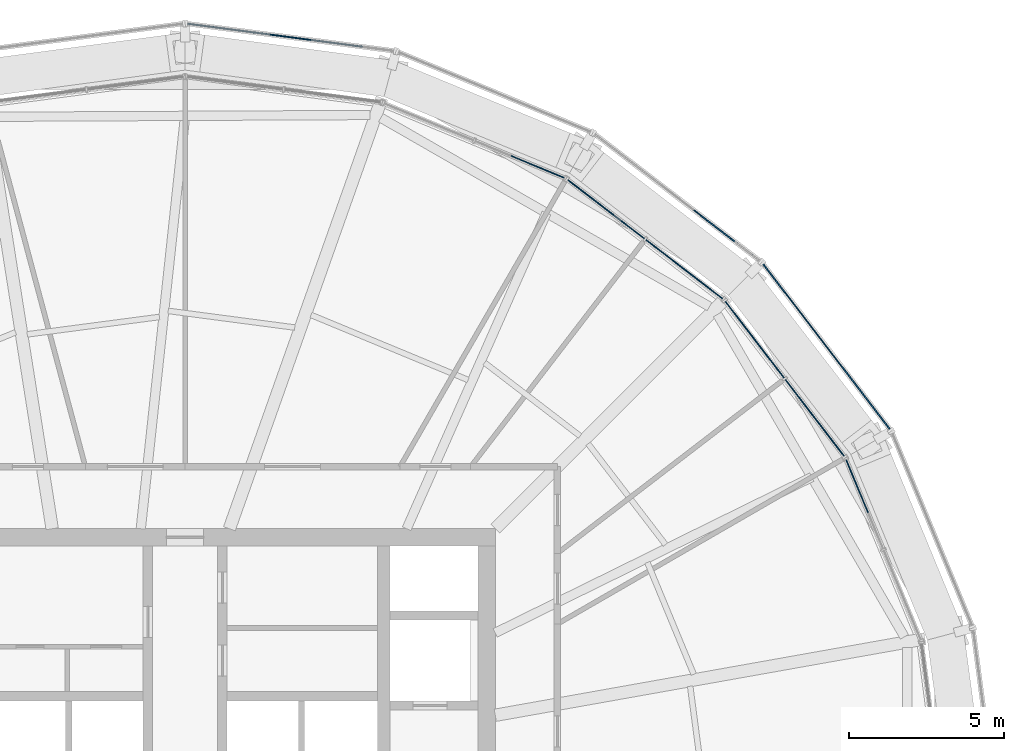
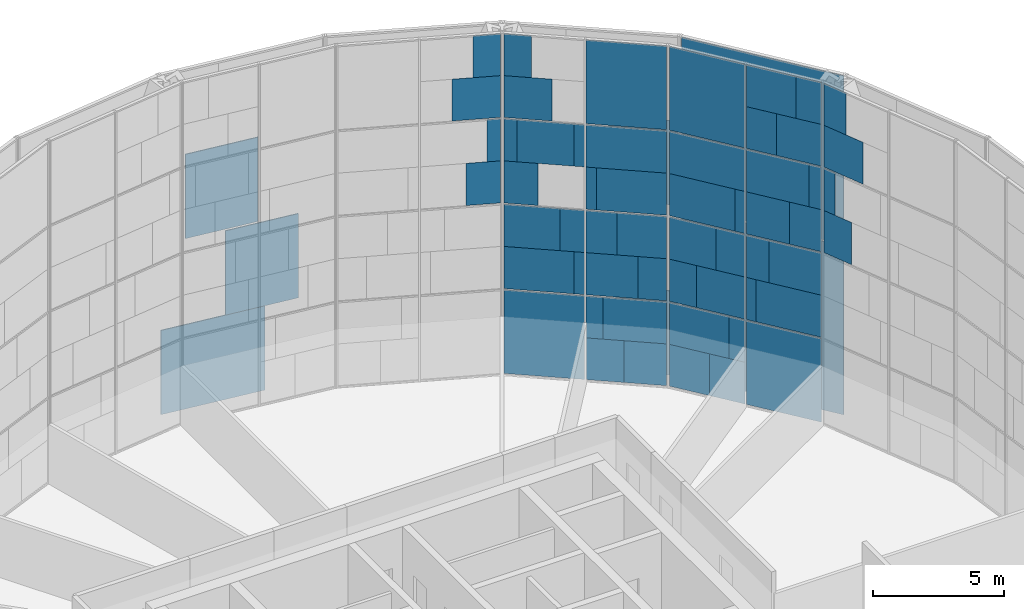
# One storey, part 24 of 30: 63 plates, 7 elements without a shape of their own.
"""IFC4 building model written with IfcOpenShell, lengths in metres."""

import ifcopenshell
import ifcopenshell.guid

model = None  # the IFC model being written
_history = None  # IfcOwnerHistory: only IFC2X3 demands one
_inside = {}  # id of a spatial element -> (the spatial element, [elements in it])
_under = {}  # id of a project, library or spatial element -> (it, [spatial elements below it])
_declared = {}  # id of a project -> (the project, [libraries it declares])
_typed = {}  # id of a type object -> (the type object, [elements of that type])
_made_of = {}  # id of a material, layer set ... -> (it, [elements and type objects made of it])


def new_model(schema):
    """Start an empty IFC model of exactly this schema.

    Asked for "IFC4X3", IfcOpenShell would pick the latest addendum, in which some entities
    have other attributes; the version numbers below select the first issue.
    IFC2X3 requires an IfcOwnerHistory on every rooted entity: one is made here for all.
    """
    global model, _history
    if schema == "IFC4X3":
        model = ifcopenshell.file(schema_version=(4, 3, 0, 0))
    else:
        model = ifcopenshell.file(schema=schema)
    _inside.clear()
    _under.clear()
    _declared.clear()
    _typed.clear()
    _made_of.clear()
    _history = None
    if model.schema == "IFC2X3":
        org = make("IfcOrganization", Name="unknown")
        user = make(
            "IfcPersonAndOrganization",
            ThePerson=make("IfcPerson", FamilyName="unknown"),
            TheOrganization=org,
        )
        app = make(
            "IfcApplication",
            ApplicationDeveloper=org,
            Version="unknown",
            ApplicationFullName="unknown",
            ApplicationIdentifier="unknown",
        )
        _history = make(
            "IfcOwnerHistory",
            OwningUser=user,
            OwningApplication=app,
            ChangeAction="ADDED",
            CreationDate=0,
        )
    return model


def make(cls, **values):
    """One entity of the class cls with the attributes given. An attribute that is None is left unset."""
    return model.create_entity(
        cls, **{name: value for name, value in values.items() if value is not None}
    )


def rooted(cls, **values):
    """An entity with a GlobalId (a new one), such as an element, a storey or a relation."""
    return make(cls, GlobalId=ifcopenshell.guid.new(), OwnerHistory=_history, **values)


def si_unit(unit_type, name, prefix=None):
    """IfcSIUnit, for example si_unit("LENGTHUNIT", "METRE", prefix="MILLI")."""
    return make("IfcSIUnit", UnitType=unit_type, Prefix=prefix, Name=name)


def assignment(units):
    """IfcUnitAssignment: the units of a project."""
    return None if units is None else make("IfcUnitAssignment", Units=units)


def point(xyz):
    """IfcCartesianPoint."""
    return None if xyz is None else make("IfcCartesianPoint", Coordinates=xyz)


def direction(xyz):
    """IfcDirection."""
    return None if xyz is None else make("IfcDirection", DirectionRatios=xyz)


def frame(location, z_axis=None, x_axis=None):
    """IfcAxis2Placement3D, a coordinate frame: its origin and axes. An axis left out is left unset."""
    return make(
        "IfcAxis2Placement3D",
        Location=point(location),
        Axis=direction(z_axis),
        RefDirection=direction(x_axis),
    )


def frame_2d(location, x_axis=None):
    """IfcAxis2Placement2D, a coordinate frame in the plane: its origin and x axis."""
    return make(
        "IfcAxis2Placement2D", Location=point(location), RefDirection=direction(x_axis)
    )


def origin():
    """The frame at (0, 0, 0) with its axes left unset."""
    return frame((0.0, 0.0, 0.0))


def origin_2d():
    """The frame at (0, 0) in the plane with its x axis left unset."""
    return frame_2d((0.0, 0.0))


def place(relative_to, where):
    """IfcLocalPlacement: puts the frame where relative to a parent placement (None: the world)."""
    return make(
        "IfcLocalPlacement", PlacementRelTo=relative_to, RelativePlacement=where
    )


def context(
    kind, dimensions, precision=None, world=None, true_north=None, identifier=None
):
    """IfcGeometricRepresentationContext, for example the 3D "Model" context."""
    return make(
        "IfcGeometricRepresentationContext",
        ContextIdentifier=identifier,
        ContextType=kind,
        CoordinateSpaceDimension=dimensions,
        Precision=precision,
        WorldCoordinateSystem=world,
        TrueNorth=true_north,
    )


def subcontext(parent, identifier, kind, view, scale=None):
    """IfcGeometricRepresentationSubContext, for example "Body" below "Model"."""
    return make(
        "IfcGeometricRepresentationSubContext",
        ContextIdentifier=identifier,
        ContextType=kind,
        ParentContext=parent,
        TargetScale=scale,
        TargetView=view,
    )


def project(units=None, contexts=None):
    """IfcProject with its units and contexts."""
    return rooted(
        "IfcProject",
        Name="project",
        RepresentationContexts=contexts,
        UnitsInContext=assignment(units),
    )


def spatial(cls, under=None, at=None, **own):
    """A site, building, storey or space (cls), placed at a placement, below another one or the project."""
    s = rooted(cls, ObjectPlacement=at, **own)
    if under is not None:
        _under.setdefault(under.id(), (under, []))[1].append(s)
    return s


def profile(cls, at=None, kind="AREA", **sizes):
    """A parametric profile (cls). Its sizes go by their IFC names, for example OverallWidth=200.0."""
    return make(cls, ProfileType=kind, Position=at, **sizes)


def rectangle(**sizes):
    """IfcRectangleProfileDef."""
    return profile("IfcRectangleProfileDef", **sizes)


def extrude(swept, where, along, depth):
    """IfcExtrudedAreaSolid: the profile swept, set in the frame where, extruded along a direction by depth."""
    return make(
        "IfcExtrudedAreaSolid",
        SweptArea=swept,
        Position=where,
        ExtrudedDirection=direction(along),
        Depth=depth,
    )


def shape(context_of_items, identifier, shape_type, items):
    """IfcShapeRepresentation: the items that make up one representation, for example the "Body"."""
    return make(
        "IfcShapeRepresentation",
        ContextOfItems=context_of_items,
        RepresentationIdentifier=identifier,
        RepresentationType=shape_type,
        Items=items,
    )


def material(Name=None, Category=None):
    """IfcMaterial."""
    return make("IfcMaterial", Name=Name, Category=Category)


def layer(
    of_material, thickness, ventilated=None, Name=None, Category=None, Priority=None
):
    """IfcMaterialLayer: one layer of a wall or slab, of a material (None: an air gap)."""
    return make(
        "IfcMaterialLayer",
        Material=of_material,
        LayerThickness=thickness,
        IsVentilated=ventilated,
        Name=Name,
        Category=Category,
        Priority=Priority,
    )


def layer_set(layers, Name=None):
    """IfcMaterialLayerSet."""
    return make("IfcMaterialLayerSet", MaterialLayers=layers, LayerSetName=Name)


def made_of(thing, what):
    """Note that an element or type object is made of a material, layer set ...; save() writes the relation."""
    if what is not None:
        _made_of.setdefault(what.id(), (what, []))[1].append(thing)
    return thing


def type_object(cls, material=None, **own):
    """A type object (cls), such as IfcWallType, which elements share."""
    return made_of(rooted(cls, **own), material)


def element(
    cls,
    number,
    at=None,
    inside=None,
    cuts=None,
    type_object=None,
    material=None,
    context=None,
    identifier="Body",
    shape_type=None,
    held_by="IfcProductDefinitionShape",
    body=None,
    shapes=None,
    **own,
):
    """One element of the class cls, such as IfcWall. Its Tag is "e" and its number.

    at: its placement. inside: the storey or other place that contains it. cuts: it is an
    opening in that element (IfcRelVoidsElement). A single representation is given by context,
    identifier, shape_type and body (its items); several are given by shapes. held_by: the class
    of the entity that holds the representations. save() writes the other relations.
    """
    e = rooted(cls, Tag="e%d" % number, ObjectPlacement=at, **own)
    if body is not None:
        shapes = [shape(context, identifier, shape_type, body)]
    if shapes is not None:
        e.Representation = make(held_by, Representations=shapes)
    if inside is not None:
        _inside.setdefault(inside.id(), (inside, []))[1].append(e)
    if cuts is not None:
        rooted(
            "IfcRelVoidsElement", RelatingBuildingElement=cuts, RelatedOpeningElement=e
        )
    if type_object is not None:
        _typed.setdefault(type_object.id(), (type_object, []))[1].append(e)
    return made_of(e, material)


def aggregate(whole, parts):
    """IfcRelAggregates: a whole, such as a stair, and the parts it consists of."""
    return rooted("IfcRelAggregates", RelatingObject=whole, RelatedObjects=parts)


def save(model, path):
    """Write the relations noted so far, then the file.

    IfcRelAggregates (storeys below a building ...), IfcRelContainedInSpatialStructure (elements
    in a storey), IfcRelDefinesByType, IfcRelAssociatesMaterial and IfcRelDeclares: one each for
    every whole, place, type object, material and project.
    """
    for whole, parts in _under.values():
        aggregate(whole, parts)
    for where, things in _inside.values():
        rooted(
            "IfcRelContainedInSpatialStructure",
            RelatedElements=things,
            RelatingStructure=where,
        )
    for kind, things in _typed.values():
        rooted("IfcRelDefinesByType", RelatedObjects=things, RelatingType=kind)
    for what, things in _made_of.values():
        rooted("IfcRelAssociatesMaterial", RelatedObjects=things, RelatingMaterial=what)
    for by, libraries in _declared.values():
        rooted("IfcRelDeclares", RelatingContext=by, RelatedDefinitions=libraries)
    model.write(path)


model = new_model("IFC4")

# Units and contexts
model_context = context("Model", 3, precision=1e-05, world=origin(), true_north=direction((0.0, 1.0)))
body_context = subcontext(model_context, "Body", "Model", "MODEL_VIEW")
ifc_project = project(units=[si_unit("LENGTHUNIT", "METRE"), si_unit("AREAUNIT", "SQUARE_METRE"), si_unit("VOLUMEUNIT", "CUBIC_METRE"), si_unit("PLANEANGLEUNIT", "RADIAN"), si_unit("MASSUNIT", "GRAM", prefix="KILO")], contexts=[model_context])

# Site, building, storey
site_placement = place(None, origin())
site = spatial("IfcSite", under=ifc_project, at=site_placement, CompositionType="ELEMENT")
building_placement = place(site_placement, origin())
building = spatial("IfcBuilding", under=site, at=building_placement, Name="Golbaran Civic Tower", CompositionType="ELEMENT")
storey_placement = place(building_placement, frame((0.0, 0.0, 102.0)))
storey = spatial("IfcBuildingStorey", under=building, at=storey_placement, Name="L24", CompositionType="ELEMENT", Elevation=102.0)

# Curtain wall, plates
ifc_material_1 = material(Name="Aluminium and glass", Category="aluminium")
curtain_wall_type_1 = type_object("IfcCurtainWallType", Name="INNER SKIN CURTAIN WALL", PredefinedType="NOTDEFINED", material=ifc_material_1)
curtain_wall_1_placement = place(storey_placement, origin())
curtain_wall_1 = element("IfcCurtainWall", 1, at=curtain_wall_1_placement, inside=storey, type_object=curtain_wall_type_1, Name="Inner skin L24 facet 2 CW1", ObjectType="INNER SKIN", PredefinedType="USERDEFINED")
ifc_material_2 = material(Name="Clear insulating glass", Category="glass")
ifc_layer_1 = layer(ifc_material_2, 0.031982421875, Name="Clear insulating glass")
ifc_layer_set_1 = layer_set([ifc_layer_1], Name="Clear insulating glass")
plate_type_1 = type_object("IfcPlateType", Name="INNER SKIN CURTAIN WALL GLAZED PANEL", PredefinedType="CURTAIN_PANEL", material=ifc_layer_set_1)
plate_1_placement = place(storey_placement, frame((21.564208984375, 11.615234375, 8.03271484375), z_axis=(0.0, 0.0, 1.0), x_axis=(-0.382683432478, 0.923879532465, 0.0)))
plate_1 = element("IfcPlate", 2, at=plate_1_placement, type_object=plate_type_1, Name="CW1 panel 2.3 part 2", PredefinedType="CURTAIN_PANEL", context=body_context, shape_type="SweptSolid", body=[
    extrude(rectangle(XDim=1.32861328125, YDim=0.031982421875, at=origin_2d()), origin(), (0.0, 0.0, 1.0), 1.967529296875),
])
plate_2_placement = place(storey_placement, frame((21.408203125, 11.99169921875, 10.0), z_axis=(0.0, 0.0, 1.0), x_axis=(-0.382683432478, 0.923879532465, 0.0)))
plate_2 = element("IfcPlate", 3, at=plate_2_placement, type_object=plate_type_1, Name="CW1 panel 2.3 part 5", PredefinedType="CURTAIN_PANEL", context=body_context, shape_type="SweptSolid", body=[
    extrude(rectangle(XDim=0.513671875, YDim=0.031982421875, at=origin_2d()), origin(), (0.0, 0.0, 1.0), 1.967529296875),
])

curtain_wall_2_placement = place(storey_placement, origin())
curtain_wall_2 = element("IfcCurtainWall", 4, at=curtain_wall_2_placement, inside=storey, type_object=curtain_wall_type_1, Name="Inner skin L24 facet 3 CW1", ObjectType="INNER SKIN", PredefinedType="USERDEFINED")
plate_3_placement = place(storey_placement, frame((20.298828125, 13.574462890625, 0.06494140625), z_axis=(0.0, 0.0, 1.0), x_axis=(-0.608761428995, 0.793353340302, 0.0)))
plate_3 = element("IfcPlate", 5, at=plate_3_placement, type_object=plate_type_1, Name="CW1 panel 1.1", PredefinedType="CURTAIN_PANEL", context=body_context, shape_type="SweptSolid", body=[
    extrude(rectangle(XDim=3.110595703125, YDim=0.031982421875, at=origin_2d()), origin(), (0.0, 0.0, 1.0), 3.902587890625),
])
plate_4_placement = place(storey_placement, frame((20.421142578125, 13.415283203125, 4.03271484375), z_axis=(0.0, 0.0, 1.0), x_axis=(-0.608761428995, 0.793353340302, 0.0)))
plate_4 = element("IfcPlate", 6, at=plate_4_placement, type_object=plate_type_1, Name="CW1 panel 1.2 part 1", PredefinedType="CURTAIN_PANEL", context=body_context, shape_type="SweptSolid", body=[
    extrude(rectangle(XDim=2.708984375, YDim=0.031982421875, at=origin_2d()), origin(), (0.0, 0.0, 1.0), 1.967529296875),
])
plate_5_placement = place(storey_placement, frame((20.584716796875, 13.20166015625, 6.0), z_axis=(0.0, 0.0, 1.0), x_axis=(-0.608761428995, 0.793353340302, 0.0)))
plate_5 = element("IfcPlate", 7, at=plate_5_placement, type_object=plate_type_1, Name="CW1 panel 1.2 part 3", PredefinedType="CURTAIN_PANEL", context=body_context, shape_type="SweptSolid", body=[
    extrude(rectangle(XDim=2.1708984375, YDim=0.031982421875, at=origin_2d()), origin(), (0.0, 0.0, 1.0), 1.967529296875),
])
plate_6_placement = place(storey_placement, frame((20.841064453125, 12.86767578125, 8.03271484375), z_axis=(0.0, 0.0, 1.0), x_axis=(-0.608761428995, 0.793353340302, 0.0)))
plate_6 = element("IfcPlate", 8, at=plate_6_placement, type_object=plate_type_1, Name="CW1 panel 1.3 part 1", PredefinedType="CURTAIN_PANEL", context=body_context, shape_type="SweptSolid", body=[
    extrude(rectangle(XDim=1.3291015625, YDim=0.031982421875, at=origin_2d()), origin(), (0.0, 0.0, 1.0), 1.967529296875),
])
plate_7_placement = place(storey_placement, frame((21.089111328125, 12.54443359375, 10.0), z_axis=(0.0, 0.0, 1.0), x_axis=(-0.608761428995, 0.793353340302, 0.0)))
plate_7 = element("IfcPlate", 9, at=plate_7_placement, type_object=plate_type_1, Name="CW1 panel 1.3 part 3", PredefinedType="CURTAIN_PANEL", context=body_context, shape_type="SweptSolid", body=[
    extrude(rectangle(XDim=0.513916015625, YDim=0.031982421875, at=origin_2d()), origin(), (0.0, 0.0, 1.0), 1.967529296875),
])
plate_8_placement = place(storey_placement, frame((19.72998046875, 14.31591796875, 12.032470703125), z_axis=(0.0, 0.0, 1.0), x_axis=(-0.608761428995, 0.793353340302, 0.0)))
plate_8 = element("IfcPlate", 10, at=plate_8_placement, type_object=plate_type_1, Name="CW1 panel 1.4 part 2", PredefinedType="CURTAIN_PANEL", context=body_context, shape_type="SweptSolid", body=[
    extrude(rectangle(XDim=1.241455078125, YDim=0.031982421875, at=origin_2d()), origin(), (0.0, 0.0, 1.0), 1.951171875),
])
plate_9_placement = place(storey_placement, frame((19.975830078125, 13.995361328125, 13.98388671875), z_axis=(0.0, 0.0, 1.0), x_axis=(-0.608761428995, 0.793353340302, 0.0)))
plate_9 = element("IfcPlate", 11, at=plate_9_placement, type_object=plate_type_1, Name="CW1 panel 1.4 part 4", PredefinedType="CURTAIN_PANEL", context=body_context, shape_type="SweptSolid", body=[
    extrude(rectangle(XDim=2.049560546875, YDim=0.031982421875, at=origin_2d()), origin(), (0.0, 0.0, 1.0), 1.951171875),
])
plate_10_placement = place(storey_placement, frame((18.867919921875, 15.43896484375, 0.06494140625), z_axis=(0.0, 0.0, 1.0), x_axis=(-0.608761428995, 0.793353340302, 0.0)))
plate_10 = element("IfcPlate", 12, at=plate_10_placement, type_object=plate_type_1, Name="CW1 panel 2.1 part 1", PredefinedType="CURTAIN_PANEL", context=body_context, shape_type="SweptSolid", body=[
    extrude(rectangle(XDim=1.4599609375, YDim=0.031982421875, at=origin_2d()), origin(), (0.0, 0.0, 1.0), 1.951171875),
])
plate_11_placement = place(storey_placement, frame((19.114013671875, 15.11865234375, 2.016357421875), z_axis=(0.0, 0.0, 1.0), x_axis=(-0.608761428995, 0.793353340302, 0.0)))
plate_11 = element("IfcPlate", 13, at=plate_11_placement, type_object=plate_type_1, Name="CW1 panel 2.1 part 3", PredefinedType="CURTAIN_PANEL", context=body_context, shape_type="SweptSolid", body=[
    extrude(rectangle(XDim=0.652099609375, YDim=0.031982421875, at=origin_2d()), origin(), (0.0, 0.0, 1.0), 1.951171875),
])
plate_12_placement = place(storey_placement, frame((17.754638671875, 16.889892578125, 4.03271484375), z_axis=(0.0, 0.0, 1.0), x_axis=(-0.608761428995, 0.793353340302, 0.0)))
plate_12 = element("IfcPlate", 14, at=plate_12_placement, type_object=plate_type_1, Name="CW1 panel 2.2 part 2", PredefinedType="CURTAIN_PANEL", context=body_context, shape_type="SweptSolid", body=[
    extrude(rectangle(XDim=1.103515625, YDim=0.031982421875, at=origin_2d()), origin(), (0.0, 0.0, 1.0), 1.967529296875),
])
plate_13_placement = place(storey_placement, frame((18.0029296875, 16.566650390625, 6.0), z_axis=(0.0, 0.0, 1.0), x_axis=(-0.608761428995, 0.793353340302, 0.0)))
plate_13 = element("IfcPlate", 15, at=plate_13_placement, type_object=plate_type_1, Name="CW1 panel 2.2 part 4", PredefinedType="CURTAIN_PANEL", context=body_context, shape_type="SweptSolid", body=[
    extrude(rectangle(XDim=1.91845703125, YDim=0.031982421875, at=origin_2d()), origin(), (0.0, 0.0, 1.0), 1.967529296875),
])
plate_14_placement = place(storey_placement, frame((18.243896484375, 16.25244140625, 8.03271484375), z_axis=(0.0, 0.0, 1.0), x_axis=(-0.608761428995, 0.793353340302, 0.0)))
plate_14 = element("IfcPlate", 16, at=plate_14_placement, type_object=plate_type_1, Name="CW1 panel 2.3 part 2", PredefinedType="CURTAIN_PANEL", context=body_context, shape_type="SweptSolid", body=[
    extrude(rectangle(XDim=2.710693359375, YDim=0.031982421875, at=origin_2d()), origin(), (0.0, 0.0, 1.0), 1.967529296875),
])
plate_15_placement = place(storey_placement, frame((18.36572265625, 16.09375, 10.0), z_axis=(0.0, 0.0, 1.0), x_axis=(-0.608761428995, 0.793353340302, 0.0)))
plate_15 = element("IfcPlate", 17, at=plate_15_placement, type_object=plate_type_1, Name="CW1 panel 2.3 part 3", PredefinedType="CURTAIN_PANEL", context=body_context, shape_type="SweptSolid", body=[
    extrude(rectangle(XDim=3.110595703125, YDim=0.031982421875, at=origin_2d()), origin(), (0.0, 0.0, 1.0), 1.967529296875),
])
plate_16_placement = place(storey_placement, frame((18.36572265625, 16.09375, 12.0322265625), z_axis=(0.0, 0.0, 1.0), x_axis=(-0.608761428995, 0.793353340302, 0.0)))
plate_16 = element("IfcPlate", 18, at=plate_16_placement, type_object=plate_type_1, Name="CW1 panel 2.4", PredefinedType="CURTAIN_PANEL", context=body_context, shape_type="SweptSolid", body=[
    extrude(rectangle(XDim=3.110595703125, YDim=0.031982421875, at=origin_2d()), origin(), (0.0, 0.0, 1.0), 3.902587890625),
])

curtain_wall_3_placement = place(storey_placement, origin())
curtain_wall_3 = element("IfcCurtainWall", 19, at=curtain_wall_3_placement, inside=storey, type_object=curtain_wall_type_1, Name="Inner skin L24 facet 4 CW1", ObjectType="INNER SKIN", PredefinedType="USERDEFINED")
plate_17_placement = place(storey_placement, frame((15.439208984375, 18.867919921875, 0.06494140625), z_axis=(0.0, 0.0, 1.0), x_axis=(-0.793353340302, 0.608761428995, 0.0)))
plate_17 = element("IfcPlate", 20, at=plate_17_placement, type_object=plate_type_1, Name="CW1 panel 1.1 part 2", PredefinedType="CURTAIN_PANEL", context=body_context, shape_type="SweptSolid", body=[
    extrude(rectangle(XDim=1.460693359375, YDim=0.031982421875, at=origin_2d()), origin(), (0.0, 0.0, 1.0), 1.951171875),
])
plate_18_placement = place(storey_placement, frame((15.118408203125, 19.114013671875, 2.016357421875), z_axis=(0.0, 0.0, 1.0), x_axis=(-0.793353340302, 0.608761428995, 0.0)))
plate_18 = element("IfcPlate", 21, at=plate_18_placement, type_object=plate_type_1, Name="CW1 panel 1.1 part 4", PredefinedType="CURTAIN_PANEL", context=body_context, shape_type="SweptSolid", body=[
    extrude(rectangle(XDim=0.651611328125, YDim=0.031982421875, at=origin_2d()), origin(), (0.0, 0.0, 1.0), 1.951171875),
])
plate_19_placement = place(storey_placement, frame((16.889892578125, 17.7548828125, 4.03271484375), z_axis=(0.0, 0.0, 1.0), x_axis=(-0.793353340302, 0.608761428995, 0.0)))
plate_19 = element("IfcPlate", 22, at=plate_19_placement, type_object=plate_type_1, Name="CW1 panel 1.2 part 1", PredefinedType="CURTAIN_PANEL", context=body_context, shape_type="SweptSolid", body=[
    extrude(rectangle(XDim=1.10400390625, YDim=0.031982421875, at=origin_2d()), origin(), (0.0, 0.0, 1.0), 1.967529296875),
])
plate_20_placement = place(storey_placement, frame((16.56640625, 18.0029296875, 6.0), z_axis=(0.0, 0.0, 1.0), x_axis=(-0.793353340302, 0.608761428995, 0.0)))
plate_20 = element("IfcPlate", 23, at=plate_20_placement, type_object=plate_type_1, Name="CW1 panel 1.2 part 3", PredefinedType="CURTAIN_PANEL", context=body_context, shape_type="SweptSolid", body=[
    extrude(rectangle(XDim=1.9189453125, YDim=0.031982421875, at=origin_2d()), origin(), (0.0, 0.0, 1.0), 1.967529296875),
])
plate_21_placement = place(storey_placement, frame((16.253173828125, 18.243408203125, 8.03271484375), z_axis=(0.0, 0.0, 1.0), x_axis=(-0.793353340302, 0.608761428995, 0.0)))
plate_21 = element("IfcPlate", 24, at=plate_21_placement, type_object=plate_type_1, Name="CW1 panel 1.3 part 1", PredefinedType="CURTAIN_PANEL", context=body_context, shape_type="SweptSolid", body=[
    extrude(rectangle(XDim=2.708984375, YDim=0.031982421875, at=origin_2d()), origin(), (0.0, 0.0, 1.0), 1.967529296875),
])
plate_22_placement = place(storey_placement, frame((16.09375, 18.36572265625, 10.0), z_axis=(0.0, 0.0, 1.0), x_axis=(-0.793353340302, 0.608761428995, 0.0)))
plate_22 = element("IfcPlate", 25, at=plate_22_placement, type_object=plate_type_1, Name="CW1 panel 1.3 part 3", PredefinedType="CURTAIN_PANEL", context=body_context, shape_type="SweptSolid", body=[
    extrude(rectangle(XDim=3.110595703125, YDim=0.031982421875, at=origin_2d()), origin(), (0.0, 0.0, 1.0), 1.967529296875),
])
plate_23_placement = place(storey_placement, frame((16.09375, 18.36572265625, 12.0322265625), z_axis=(0.0, 0.0, 1.0), x_axis=(-0.793353340302, 0.608761428995, 0.0)))
plate_23 = element("IfcPlate", 26, at=plate_23_placement, type_object=plate_type_1, Name="CW1 panel 1.4", PredefinedType="CURTAIN_PANEL", context=body_context, shape_type="SweptSolid", body=[
    extrude(rectangle(XDim=3.110595703125, YDim=0.031982421875, at=origin_2d()), origin(), (0.0, 0.0, 1.0), 3.902587890625),
])
plate_24_placement = place(storey_placement, frame((13.574462890625, 20.298828125, 0.06494140625), z_axis=(0.0, 0.0, 1.0), x_axis=(-0.793353340302, 0.608761428995, 0.0)))
plate_24 = element("IfcPlate", 27, at=plate_24_placement, type_object=plate_type_1, Name="CW1 panel 2.1", PredefinedType="CURTAIN_PANEL", context=body_context, shape_type="SweptSolid", body=[
    extrude(rectangle(XDim=3.110595703125, YDim=0.031982421875, at=origin_2d()), origin(), (0.0, 0.0, 1.0), 3.902587890625),
])
plate_25_placement = place(storey_placement, frame((13.415283203125, 20.4208984375, 4.03271484375), z_axis=(0.0, 0.0, 1.0), x_axis=(-0.793353340302, 0.608761428995, 0.0)))
plate_25 = element("IfcPlate", 28, at=plate_25_placement, type_object=plate_type_1, Name="CW1 panel 2.2 part 2", PredefinedType="CURTAIN_PANEL", context=body_context, shape_type="SweptSolid", body=[
    extrude(rectangle(XDim=2.70947265625, YDim=0.031982421875, at=origin_2d()), origin(), (0.0, 0.0, 1.0), 1.967529296875),
])
plate_26_placement = place(storey_placement, frame((13.20166015625, 20.5849609375, 6.0), z_axis=(0.0, 0.0, 1.0), x_axis=(-0.793353340302, 0.608761428995, 0.0)))
plate_26 = element("IfcPlate", 29, at=plate_26_placement, type_object=plate_type_1, Name="CW1 panel 2.2 part 4", PredefinedType="CURTAIN_PANEL", context=body_context, shape_type="SweptSolid", body=[
    extrude(rectangle(XDim=2.170654296875, YDim=0.031982421875, at=origin_2d()), origin(), (0.0, 0.0, 1.0), 1.967529296875),
])
plate_27_placement = place(storey_placement, frame((12.86767578125, 20.84130859375, 8.03271484375), z_axis=(0.0, 0.0, 1.0), x_axis=(-0.793353340302, 0.608761428995, 0.0)))
plate_27 = element("IfcPlate", 30, at=plate_27_placement, type_object=plate_type_1, Name="CW1 panel 2.3 part 2", PredefinedType="CURTAIN_PANEL", context=body_context, shape_type="SweptSolid", body=[
    extrude(rectangle(XDim=1.32861328125, YDim=0.031982421875, at=origin_2d()), origin(), (0.0, 0.0, 1.0), 1.967529296875),
])
plate_28_placement = place(storey_placement, frame((14.649658203125, 19.473876953125, 10.0), z_axis=(0.0, 0.0, 1.0), x_axis=(-0.793353340302, 0.608761428995, 0.0)))
plate_28 = element("IfcPlate", 31, at=plate_28_placement, type_object=plate_type_1, Name="CW1 panel 2.3 part 3", PredefinedType="CURTAIN_PANEL", context=body_context, shape_type="SweptSolid", body=[
    extrude(rectangle(XDim=0.39990234375, YDim=0.031982421875, at=origin_2d()), origin(), (0.0, 0.0, 1.0), 1.967529296875),
])
plate_29_placement = place(storey_placement, frame((12.544189453125, 21.08935546875, 10.0), z_axis=(0.0, 0.0, 1.0), x_axis=(-0.793353340302, 0.608761428995, 0.0)))
plate_29 = element("IfcPlate", 32, at=plate_29_placement, type_object=plate_type_1, Name="CW1 panel 2.3 part 5", PredefinedType="CURTAIN_PANEL", context=body_context, shape_type="SweptSolid", body=[
    extrude(rectangle(XDim=0.513671875, YDim=0.031982421875, at=origin_2d()), origin(), (0.0, 0.0, 1.0), 1.967529296875),
])

curtain_wall_4_placement = place(storey_placement, origin())
curtain_wall_4 = element("IfcCurtainWall", 33, at=curtain_wall_4_placement, inside=storey, type_object=curtain_wall_type_1, Name="Inner skin L24 facet 5 CW1", ObjectType="INNER SKIN", PredefinedType="USERDEFINED")
plate_30_placement = place(storey_placement, frame((11.614990234375, 21.564453125, 8.03271484375), z_axis=(0.0, 0.0, 1.0), x_axis=(-0.923879532465, 0.382683432478, 0.0)))
plate_30 = element("IfcPlate", 34, at=plate_30_placement, type_object=plate_type_1, Name="CW1 panel 1.3 part 1", PredefinedType="CURTAIN_PANEL", context=body_context, shape_type="SweptSolid", body=[
    extrude(rectangle(XDim=1.3291015625, YDim=0.031982421875, at=origin_2d()), origin(), (0.0, 0.0, 1.0), 1.967529296875),
])
plate_31_placement = place(storey_placement, frame((11.991455078125, 21.408447265625, 10.0), z_axis=(0.0, 0.0, 1.0), x_axis=(-0.923879532465, 0.382683432478, 0.0)))
plate_31 = element("IfcPlate", 35, at=plate_31_placement, type_object=plate_type_1, Name="CW1 panel 1.3 part 3", PredefinedType="CURTAIN_PANEL", context=body_context, shape_type="SweptSolid", body=[
    extrude(rectangle(XDim=0.513916015625, YDim=0.031982421875, at=origin_2d()), origin(), (0.0, 0.0, 1.0), 1.967529296875),
])

# Plate
ifc_material_3 = material(Name="Aluminium faced opaque infill panel", Category="aluminium")
ifc_layer_2 = layer(ifc_material_3, 0.031982421875, Name="Aluminium faced opaque infill panel")
ifc_layer_set_2 = layer_set([ifc_layer_2], Name="Aluminium faced opaque infill panel")
plate_type_2 = type_object("IfcPlateType", Name="INNER SKIN CURTAIN WALL OPAQUE INFILL PANEL", PredefinedType="CURTAIN_PANEL", material=ifc_layer_set_2)
plate_32_placement = place(storey_placement, frame((21.66748046875, 11.36572265625, 12.032470703125), z_axis=(0.0, 0.0, 1.0), x_axis=(-0.382683432478, 0.923879532465, 0.0)))
plate_32 = element("IfcPlate", 36, at=plate_32_placement, type_object=plate_type_2, Name="CW1 infill panel 2.4 part 2", PredefinedType="CURTAIN_PANEL", context=body_context, shape_type="SweptSolid", body=[
    extrude(rectangle(XDim=1.86865234375, YDim=0.031982421875, at=origin_2d()), origin(), (0.0, 0.0, 1.0), 1.951171875),
])

plate_33_placement = place(storey_placement, frame((21.512939453125, 11.739013671875, 13.98388671875), z_axis=(0.0, 0.0, 1.0), x_axis=(-0.382683432478, 0.923879532465, 0.0)))
plate_33 = element("IfcPlate", 37, at=plate_33_placement, type_object=plate_type_2, Name="CW1 infill panel 2.4 part 4", PredefinedType="CURTAIN_PANEL", context=body_context, shape_type="SweptSolid", body=[
    extrude(rectangle(XDim=1.060546875, YDim=0.031982421875, at=origin_2d()), origin(), (0.0, 0.0, 1.0), 1.951171875),
])

aggregate(curtain_wall_1, [plate_1, plate_2, plate_32, plate_33])

plate_34_placement = place(storey_placement, frame((19.47412109375, 14.649169921875, 4.03271484375), z_axis=(0.0, 0.0, 1.0), x_axis=(-0.608761428995, 0.793353340302, 0.0)))
plate_34 = element("IfcPlate", 38, at=plate_34_placement, type_object=plate_type_2, Name="CW1 infill panel 1.2 part 2", PredefinedType="CURTAIN_PANEL", context=body_context, shape_type="SweptSolid", body=[
    extrude(rectangle(XDim=0.401611328125, YDim=0.031982421875, at=origin_2d()), origin(), (0.0, 0.0, 1.0), 1.967529296875),
])

plate_35_placement = place(storey_placement, frame((19.637939453125, 14.435546875, 6.0), z_axis=(0.0, 0.0, 1.0), x_axis=(-0.608761428995, 0.793353340302, 0.0)))
plate_35 = element("IfcPlate", 39, at=plate_35_placement, type_object=plate_type_2, Name="CW1 infill panel 1.2 part 4", PredefinedType="CURTAIN_PANEL", context=body_context, shape_type="SweptSolid", body=[
    extrude(rectangle(XDim=0.939453125, YDim=0.031982421875, at=origin_2d()), origin(), (0.0, 0.0, 1.0), 1.967529296875),
])

plate_36_placement = place(storey_placement, frame((19.894287109375, 14.1015625, 8.03271484375), z_axis=(0.0, 0.0, 1.0), x_axis=(-0.608761428995, 0.793353340302, 0.0)))
plate_36 = element("IfcPlate", 40, at=plate_36_placement, type_object=plate_type_2, Name="CW1 infill panel 1.3 part 2", PredefinedType="CURTAIN_PANEL", context=body_context, shape_type="SweptSolid", body=[
    extrude(rectangle(XDim=1.781494140625, YDim=0.031982421875, at=origin_2d()), origin(), (0.0, 0.0, 1.0), 1.967529296875),
])

plate_37_placement = place(storey_placement, frame((20.142333984375, 13.7783203125, 10.0), z_axis=(0.0, 0.0, 1.0), x_axis=(-0.608761428995, 0.793353340302, 0.0)))
plate_37 = element("IfcPlate", 41, at=plate_37_placement, type_object=plate_type_2, Name="CW1 infill panel 1.3 part 4", PredefinedType="CURTAIN_PANEL", context=body_context, shape_type="SweptSolid", body=[
    extrude(rectangle(XDim=2.5966796875, YDim=0.031982421875, at=origin_2d()), origin(), (0.0, 0.0, 1.0), 1.967529296875),
])

plate_38_placement = place(storey_placement, frame((20.6767578125, 13.08203125, 12.032470703125), z_axis=(0.0, 0.0, 1.0), x_axis=(-0.608761428995, 0.793353340302, 0.0)))
plate_38 = element("IfcPlate", 42, at=plate_38_placement, type_object=plate_type_2, Name="CW1 infill panel 1.4 part 1", PredefinedType="CURTAIN_PANEL", context=body_context, shape_type="SweptSolid", body=[
    extrude(rectangle(XDim=1.868896484375, YDim=0.031982421875, at=origin_2d()), origin(), (0.0, 0.0, 1.0), 1.951171875),
])

plate_39_placement = place(storey_placement, frame((20.922607421875, 12.761474609375, 13.98388671875), z_axis=(0.0, 0.0, 1.0), x_axis=(-0.608761428995, 0.793353340302, 0.0)))
plate_39 = element("IfcPlate", 43, at=plate_39_placement, type_object=plate_type_2, Name="CW1 infill panel 1.4 part 3", PredefinedType="CURTAIN_PANEL", context=body_context, shape_type="SweptSolid", body=[
    extrude(rectangle(XDim=1.06103515625, YDim=0.031982421875, at=origin_2d()), origin(), (0.0, 0.0, 1.0), 1.951171875),
])

plate_40_placement = place(storey_placement, frame((17.921142578125, 16.6728515625, 0.06494140625), z_axis=(0.0, 0.0, 1.0), x_axis=(-0.608761428995, 0.793353340302, 0.0)))
plate_40 = element("IfcPlate", 44, at=plate_40_placement, type_object=plate_type_2, Name="CW1 infill panel 2.1 part 2", PredefinedType="CURTAIN_PANEL", context=body_context, shape_type="SweptSolid", body=[
    extrude(rectangle(XDim=1.650634765625, YDim=0.031982421875, at=origin_2d()), origin(), (0.0, 0.0, 1.0), 1.951171875),
])

plate_41_placement = place(storey_placement, frame((18.167236328125, 16.3525390625, 2.016357421875), z_axis=(0.0, 0.0, 1.0), x_axis=(-0.608761428995, 0.793353340302, 0.0)))
plate_41 = element("IfcPlate", 45, at=plate_41_placement, type_object=plate_type_2, Name="CW1 infill panel 2.1 part 4", PredefinedType="CURTAIN_PANEL", context=body_context, shape_type="SweptSolid", body=[
    extrude(rectangle(XDim=2.45849609375, YDim=0.031982421875, at=origin_2d()), origin(), (0.0, 0.0, 1.0), 1.951171875),
])

plate_42_placement = place(storey_placement, frame((18.70166015625, 15.656005859375, 4.03271484375), z_axis=(0.0, 0.0, 1.0), x_axis=(-0.608761428995, 0.793353340302, 0.0)))
plate_42 = element("IfcPlate", 46, at=plate_42_placement, type_object=plate_type_2, Name="CW1 infill panel 2.2 part 1", PredefinedType="CURTAIN_PANEL", context=body_context, shape_type="SweptSolid", body=[
    extrude(rectangle(XDim=2.007080078125, YDim=0.031982421875, at=origin_2d()), origin(), (0.0, 0.0, 1.0), 1.967529296875),
])

plate_43_placement = place(storey_placement, frame((18.94970703125, 15.332763671875, 6.0), z_axis=(0.0, 0.0, 1.0), x_axis=(-0.608761428995, 0.793353340302, 0.0)))
plate_43 = element("IfcPlate", 47, at=plate_43_placement, type_object=plate_type_2, Name="CW1 infill panel 2.2 part 3", PredefinedType="CURTAIN_PANEL", context=body_context, shape_type="SweptSolid", body=[
    extrude(rectangle(XDim=1.19189453125, YDim=0.031982421875, at=origin_2d()), origin(), (0.0, 0.0, 1.0), 1.967529296875),
])

plate_44_placement = place(storey_placement, frame((19.190673828125, 15.0185546875, 8.03271484375), z_axis=(0.0, 0.0, 1.0), x_axis=(-0.608761428995, 0.793353340302, 0.0)))
plate_44 = element("IfcPlate", 48, at=plate_44_placement, type_object=plate_type_2, Name="CW1 infill panel 2.3 part 1", PredefinedType="CURTAIN_PANEL", context=body_context, shape_type="SweptSolid", body=[
    extrude(rectangle(XDim=0.39990234375, YDim=0.031982421875, at=origin_2d()), origin(), (0.0, 0.0, 1.0), 1.967529296875),
])

aggregate(curtain_wall_2, [plate_3, plate_4, plate_34, plate_5, plate_35, plate_6, plate_36, plate_7, plate_37, plate_38, plate_8, plate_39, plate_9, plate_10, plate_40, plate_11, plate_41, plate_42, plate_12, plate_43, plate_13, plate_44, plate_14, plate_15, plate_16])

plate_45_placement = place(storey_placement, frame((16.673095703125, 17.921142578125, 0.06494140625), z_axis=(0.0, 0.0, 1.0), x_axis=(-0.793353340302, 0.608761428995, 0.0)))
plate_45 = element("IfcPlate", 49, at=plate_45_placement, type_object=plate_type_2, Name="CW1 infill panel 1.1 part 1", PredefinedType="CURTAIN_PANEL", context=body_context, shape_type="SweptSolid", body=[
    extrude(rectangle(XDim=1.64990234375, YDim=0.031982421875, at=origin_2d()), origin(), (0.0, 0.0, 1.0), 1.951171875),
])

plate_46_placement = place(storey_placement, frame((16.352294921875, 18.167236328125, 2.016357421875), z_axis=(0.0, 0.0, 1.0), x_axis=(-0.793353340302, 0.608761428995, 0.0)))
plate_46 = element("IfcPlate", 50, at=plate_46_placement, type_object=plate_type_2, Name="CW1 infill panel 1.1 part 3", PredefinedType="CURTAIN_PANEL", context=body_context, shape_type="SweptSolid", body=[
    extrude(rectangle(XDim=2.458984375, YDim=0.031982421875, at=origin_2d()), origin(), (0.0, 0.0, 1.0), 1.951171875),
])

plate_47_placement = place(storey_placement, frame((15.65576171875, 18.70166015625, 4.03271484375), z_axis=(0.0, 0.0, 1.0), x_axis=(-0.793353340302, 0.608761428995, 0.0)))
plate_47 = element("IfcPlate", 51, at=plate_47_placement, type_object=plate_type_2, Name="CW1 infill panel 1.2 part 2", PredefinedType="CURTAIN_PANEL", context=body_context, shape_type="SweptSolid", body=[
    extrude(rectangle(XDim=2.006591796875, YDim=0.031982421875, at=origin_2d()), origin(), (0.0, 0.0, 1.0), 1.967529296875),
])

plate_48_placement = place(storey_placement, frame((15.33251953125, 18.94970703125, 6.0), z_axis=(0.0, 0.0, 1.0), x_axis=(-0.793353340302, 0.608761428995, 0.0)))
plate_48 = element("IfcPlate", 52, at=plate_48_placement, type_object=plate_type_2, Name="CW1 infill panel 1.2 part 4", PredefinedType="CURTAIN_PANEL", context=body_context, shape_type="SweptSolid", body=[
    extrude(rectangle(XDim=1.191650390625, YDim=0.031982421875, at=origin_2d()), origin(), (0.0, 0.0, 1.0), 1.967529296875),
])

plate_49_placement = place(storey_placement, frame((15.019287109375, 19.190185546875, 8.03271484375), z_axis=(0.0, 0.0, 1.0), x_axis=(-0.793353340302, 0.608761428995, 0.0)))
plate_49 = element("IfcPlate", 53, at=plate_49_placement, type_object=plate_type_2, Name="CW1 infill panel 1.3 part 2", PredefinedType="CURTAIN_PANEL", context=body_context, shape_type="SweptSolid", body=[
    extrude(rectangle(XDim=0.401611328125, YDim=0.031982421875, at=origin_2d()), origin(), (0.0, 0.0, 1.0), 1.967529296875),
])

plate_50_placement = place(storey_placement, frame((14.649169921875, 19.47412109375, 4.03271484375), z_axis=(0.0, 0.0, 1.0), x_axis=(-0.793353340302, 0.608761428995, 0.0)))
plate_50 = element("IfcPlate", 54, at=plate_50_placement, type_object=plate_type_2, Name="CW1 infill panel 2.2 part 1", PredefinedType="CURTAIN_PANEL", context=body_context, shape_type="SweptSolid", body=[
    extrude(rectangle(XDim=0.40087890625, YDim=0.031982421875, at=origin_2d()), origin(), (0.0, 0.0, 1.0), 1.967529296875),
])

plate_51_placement = place(storey_placement, frame((14.435546875, 19.63818359375, 6.0), z_axis=(0.0, 0.0, 1.0), x_axis=(-0.793353340302, 0.608761428995, 0.0)))
plate_51 = element("IfcPlate", 55, at=plate_51_placement, type_object=plate_type_2, Name="CW1 infill panel 2.2 part 3", PredefinedType="CURTAIN_PANEL", context=body_context, shape_type="SweptSolid", body=[
    extrude(rectangle(XDim=0.93994140625, YDim=0.031982421875, at=origin_2d()), origin(), (0.0, 0.0, 1.0), 1.967529296875),
])

plate_52_placement = place(storey_placement, frame((13.61962890625, 20.26416015625, 10.0), z_axis=(0.0, 0.0, 1.0), x_axis=(-0.793353340302, 0.608761428995, 0.0)))
plate_52 = element("IfcPlate", 56, at=plate_52_placement, type_object=plate_type_2, Name="CW1 infill panel 2.3 part 4", PredefinedType="CURTAIN_PANEL", context=body_context, shape_type="SweptSolid", body=[
    extrude(rectangle(XDim=2.197021484375, YDim=0.031982421875, at=origin_2d()), origin(), (0.0, 0.0, 1.0), 1.967529296875),
])

plate_53_placement = place(storey_placement, frame((13.081787109375, 20.6767578125, 12.032470703125), z_axis=(0.0, 0.0, 1.0), x_axis=(-0.793353340302, 0.608761428995, 0.0)))
plate_53 = element("IfcPlate", 57, at=plate_53_placement, type_object=plate_type_2, Name="CW1 infill panel 2.4 part 2", PredefinedType="CURTAIN_PANEL", context=body_context, shape_type="SweptSolid", body=[
    extrude(rectangle(XDim=1.86865234375, YDim=0.031982421875, at=origin_2d()), origin(), (0.0, 0.0, 1.0), 1.951171875),
])

plate_54_placement = place(storey_placement, frame((12.76123046875, 20.9228515625, 13.98388671875), z_axis=(0.0, 0.0, 1.0), x_axis=(-0.793353340302, 0.608761428995, 0.0)))
plate_54 = element("IfcPlate", 58, at=plate_54_placement, type_object=plate_type_2, Name="CW1 infill panel 2.4 part 4", PredefinedType="CURTAIN_PANEL", context=body_context, shape_type="SweptSolid", body=[
    extrude(rectangle(XDim=1.060546875, YDim=0.031982421875, at=origin_2d()), origin(), (0.0, 0.0, 1.0), 1.951171875),
])

aggregate(curtain_wall_3, [plate_45, plate_17, plate_46, plate_18, plate_19, plate_47, plate_20, plate_48, plate_21, plate_49, plate_22, plate_23, plate_24, plate_50, plate_25, plate_51, plate_26, plate_27, plate_28, plate_52, plate_29, plate_53, plate_54])

plate_55_placement = place(storey_placement, frame((11.365478515625, 21.667724609375, 12.032470703125), z_axis=(0.0, 0.0, 1.0), x_axis=(-0.923879532465, 0.382683432478, 0.0)))
plate_55 = element("IfcPlate", 59, at=plate_55_placement, type_object=plate_type_2, Name="CW1 infill panel 1.4 part 1", PredefinedType="CURTAIN_PANEL", context=body_context, shape_type="SweptSolid", body=[
    extrude(rectangle(XDim=1.868896484375, YDim=0.031982421875, at=origin_2d()), origin(), (0.0, 0.0, 1.0), 1.951171875),
])

plate_56_placement = place(storey_placement, frame((11.73876953125, 21.512939453125, 13.98388671875), z_axis=(0.0, 0.0, 1.0), x_axis=(-0.923879532465, 0.382683432478, 0.0)))
plate_56 = element("IfcPlate", 60, at=plate_56_placement, type_object=plate_type_2, Name="CW1 infill panel 1.4 part 3", PredefinedType="CURTAIN_PANEL", context=body_context, shape_type="SweptSolid", body=[
    extrude(rectangle(XDim=1.06103515625, YDim=0.031982421875, at=origin_2d()), origin(), (0.0, 0.0, 1.0), 1.951171875),
])

aggregate(curtain_wall_4, [plate_30, plate_31, plate_55, plate_56])

# Curtain wall, plate
curtain_wall_type_2 = type_object("IfcCurtainWallType", Name="OUTER SKIN TERRACOTTA SCREEN", PredefinedType="NOTDEFINED", material=ifc_material_1)
curtain_wall_5_placement = place(storey_placement, origin())
curtain_wall_5 = element("IfcCurtainWall", 61, at=curtain_wall_5_placement, inside=storey, type_object=curtain_wall_type_2, Name="Outer skin L24 facet 4 CW3", ObjectType="OUTER SKIN", PredefinedType="USERDEFINED")
ifc_material_4 = material(Name="Clear laminated glass", Category="glass")
ifc_layer_3 = layer(ifc_material_4, 0.0400390625, Name="Clear laminated glass")
ifc_layer_set_3 = layer_set([ifc_layer_3], Name="Clear laminated glass")
plate_type_3 = type_object("IfcPlateType", Name="OUTER SKIN CLEAR GLASS PANEL", PredefinedType="CURTAIN_PANEL", material=ifc_layer_set_3)
plate_57_placement = place(storey_placement, frame((17.46630859375, 19.455810546875, 7.330078125), z_axis=(0.0, 0.0, 1.0), x_axis=(-0.793353340302, 0.608761428995, 0.0)))
plate_57 = element("IfcPlate", 62, at=plate_57_placement, type_object=plate_type_3, Name="CW3 panel 1.2 part 1", PredefinedType="CURTAIN_PANEL", context=body_context, shape_type="SweptSolid", body=[
    extrude(rectangle(XDim=2.677978515625, YDim=0.0400390625, at=origin_2d()), origin(), (0.0, 0.0, 1.0), 3.93994140625),
])

curtain_wall_6_placement = place(storey_placement, origin())
curtain_wall_6 = element("IfcCurtainWall", 63, at=curtain_wall_6_placement, inside=storey, type_object=curtain_wall_type_2, Name="Outer skin L24 facet 6 CW3", ObjectType="OUTER SKIN", PredefinedType="USERDEFINED")
plate_58_placement = place(storey_placement, frame((2.21533203125, 26.00146484375, -0.6298828125), z_axis=(0.0, 0.0, 1.0), x_axis=(-0.991444861381, 0.130526192168, 0.0)))
plate_58 = element("IfcPlate", 64, at=plate_58_placement, type_object=plate_type_3, Name="CW3 panel 1.1 part 2", PredefinedType="CURTAIN_PANEL", context=body_context, shape_type="SweptSolid", body=[
    extrude(rectangle(XDim=4.308837890625, YDim=0.0400390625, at=origin_2d()), origin(), (0.0, 0.0, 1.0), 3.93994140625),
])

# Plate
ifc_material_5 = material(Name="Terracotta baguette screen", Category="masonry")
ifc_layer_4 = layer(ifc_material_5, 0.0400390625, Name="Terracotta baguette screen")
ifc_layer_set_4 = layer_set([ifc_layer_4], Name="Terracotta baguette screen")
plate_type_4 = type_object("IfcPlateType", Name="OUTER SKIN TERRACOTTA INFILL PANEL", PredefinedType="CURTAIN_PANEL", material=ifc_layer_set_4)
plate_59_placement = place(storey_placement, frame((17.578369140625, 19.36962890625, -0.6298828125), z_axis=(0.0, 0.0, 1.0), x_axis=(-0.793353340302, 0.608761428995, 0.0)))
plate_59 = element("IfcPlate", 65, at=plate_59_placement, type_object=plate_type_4, Name="CW3 infill panel 1.1 part 1", PredefinedType="CURTAIN_PANEL", context=body_context, shape_type="SweptSolid", body=[
    extrude(rectangle(XDim=2.39501953125, YDim=0.0400390625, at=origin_2d()), origin(), (0.0, 0.0, 1.0), 3.93994140625),
])

aggregate(curtain_wall_5, [plate_59, plate_57])

plate_60_placement = place(storey_placement, frame((4.227294921875, 25.736572265625, 3.31005859375), z_axis=(0.0, 0.0, 1.0), x_axis=(-0.991444861381, 0.130526192168, 0.0)))
plate_60 = element("IfcPlate", 66, at=plate_60_placement, type_object=plate_type_4, Name="CW3 infill panel 1.1 part 4", PredefinedType="CURTAIN_PANEL", context=body_context, shape_type="SweptSolid", body=[
    extrude(rectangle(XDim=3.013916015625, YDim=0.0400390625, at=origin_2d()), origin(), (0.0, 0.0, 1.0), 3.93994140625),
])

plate_61_placement = place(storey_placement, frame((2.57666015625, 25.953857421875, 7.330078125), z_axis=(0.0, 0.0, 1.0), x_axis=(-0.991444861381, 0.130526192168, 0.0)))
plate_61 = element("IfcPlate", 67, at=plate_61_placement, type_object=plate_type_4, Name="CW3 infill panel 1.2 part 2", PredefinedType="CURTAIN_PANEL", context=body_context, shape_type="SweptSolid", body=[
    extrude(rectangle(XDim=3.013916015625, YDim=0.0400390625, at=origin_2d()), origin(), (0.0, 0.0, 1.0), 3.93994140625),
])

aggregate(curtain_wall_6, [plate_58, plate_60, plate_61])

# Curtain wall, plates
curtain_wall_7_placement = place(storey_placement, origin())
curtain_wall_7 = element("IfcCurtainWall", 68, at=curtain_wall_7_placement, inside=storey, type_object=curtain_wall_type_2, Name="Outer skin L24 facet 3 CW3", ObjectType="OUTER SKIN", PredefinedType="USERDEFINED")
ifc_layer_5 = layer(ifc_material_5, 0.0400390625, Name="Terracotta baguette screen")
ifc_layer_set_5 = layer_set([ifc_layer_5], Name="Terracotta baguette screen")
plate_type_5 = type_object("IfcPlateType", Name="OUTER SKIN TERRACOTTA SCREEN PANEL", PredefinedType="CURTAIN_PANEL", material=ifc_layer_set_5)
plate_62_placement = place(storey_placement, frame((20.68115234375, 15.869140625, -0.6298828125), z_axis=(0.0, 0.0, 1.0), x_axis=(-0.608761428995, 0.793353340302, 0.0)))
plate_62 = element("IfcPlate", 69, at=plate_62_placement, type_object=plate_type_5, Name="CW3 terracotta screen panel 1.1", PredefinedType="CURTAIN_PANEL", context=body_context, shape_type="SweptSolid", body=[
    extrude(rectangle(XDim=6.703857421875, YDim=0.0400390625, at=origin_2d()), origin(), (0.0, 0.0, 1.0), 7.8798828125),
])
plate_63_placement = place(storey_placement, frame((20.68115234375, 15.869140625, 7.330078125), z_axis=(0.0, 0.0, 1.0), x_axis=(-0.608761428995, 0.793353340302, 0.0)))
plate_63 = element("IfcPlate", 70, at=plate_63_placement, type_object=plate_type_5, Name="CW3 terracotta screen panel 1.2", PredefinedType="CURTAIN_PANEL", context=body_context, shape_type="SweptSolid", body=[
    extrude(rectangle(XDim=6.703857421875, YDim=0.0400390625, at=origin_2d()), origin(), (0.0, 0.0, 1.0), 7.8798828125),
])
aggregate(curtain_wall_7, [plate_62, plate_63])

save(model, "model.ifc")
